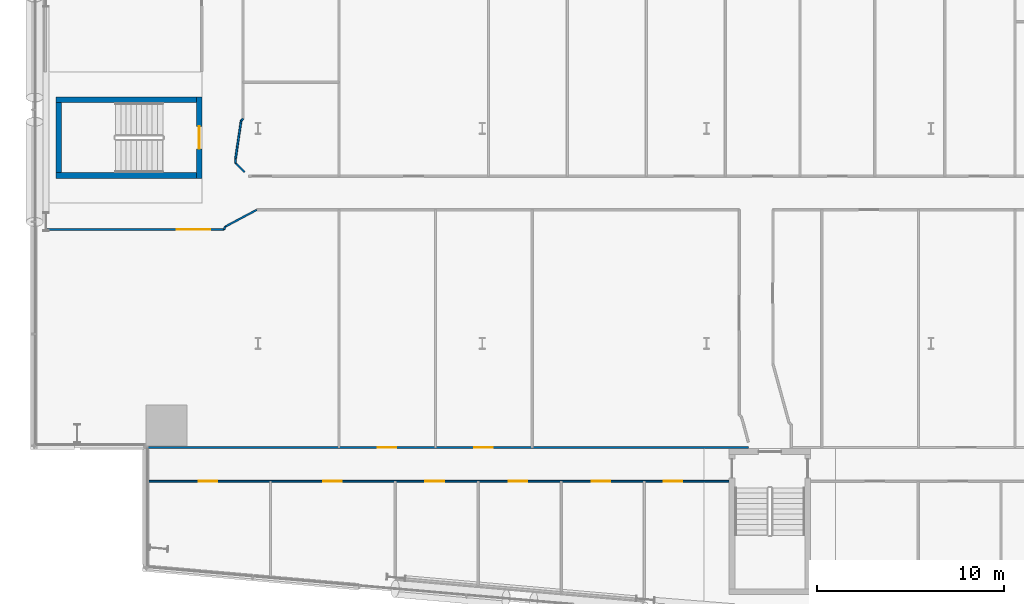
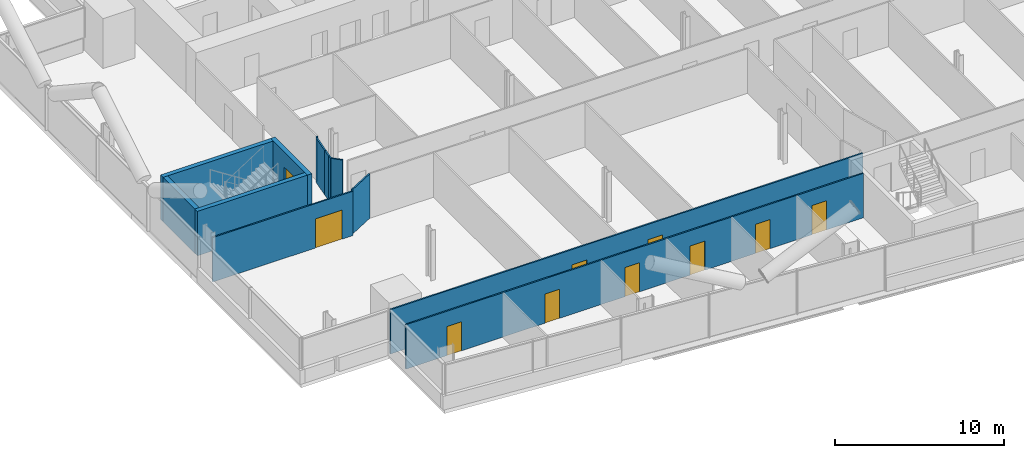
# One storey, part 13 of 27: 14 walls, 10 doors, 10 openings.
"""IFC4 building model written with IfcOpenShell, lengths in metres."""

from ifc_helpers import new_model, si_unit, direction, frame, frame_2d, origin, place, context, subcontext, project, spatial, rectangle, extrude, material, layer, layer_set, type_object, element, fill, save


model = new_model("IFC4")

# Units and contexts
model_context = context("Model", 3, precision=1e-05, world=origin(), true_north=direction((0.0, 1.0)))
body_context = subcontext(model_context, "Body", "Model", "MODEL_VIEW")
ifc_project = project(units=[si_unit("LENGTHUNIT", "METRE"), si_unit("AREAUNIT", "SQUARE_METRE"), si_unit("VOLUMEUNIT", "CUBIC_METRE"), si_unit("PLANEANGLEUNIT", "RADIAN"), si_unit("MASSUNIT", "GRAM", prefix="KILO")], contexts=[model_context])

# Site, building, storey
site_placement = place(None, origin())
site = spatial("IfcSite", under=ifc_project, at=site_placement, CompositionType="ELEMENT")
building_placement = place(site_placement, origin())
building = spatial("IfcBuilding", under=site, at=building_placement, Name="Wharfspan Tower", CompositionType="ELEMENT")
storey_placement = place(building_placement, frame((0.0, 0.0, 55.899902)))
storey = spatial("IfcBuildingStorey", under=building, at=storey_placement, Name="L10", CompositionType="ELEMENT", Elevation=55.899902)

# Wall, opening, door
ifc_material_1 = material(Name="Gypsum board on steel studs", Category="steel")
ifc_layer_1 = layer(ifc_material_1, 0.100098)
ifc_layer_set_1 = layer_set([ifc_layer_1], Name="Gypsum board on steel studs")
wall_type_1 = type_object("IfcWallType", Name="Compartment wall 100 EI 60", PredefinedType="PARTITIONING", material=ifc_layer_set_1)
wall_1_placement = place(storey_placement, frame((0.629883, 17.590088, 0.0), z_axis=(0.0, 0.0, 1.0), x_axis=(1.0, 0.0, 0.0)))
wall_1 = element("IfcWall", 1, at=wall_1_placement, inside=storey, type_object=wall_type_1, Name="Partition L10.w001", PredefinedType="PARTITIONING", context=body_context, shape_type="SweptSolid", body=[
    extrude(rectangle(XDim=9.550049, YDim=0.100098, at=frame_2d((4.774902, 0.0))), origin(), (0.0, 0.0, 1.0), 3.200195),
])
opening_1_placement = place(wall_1_placement, frame((7.024902, 0.0, 0.0)))
opening_1 = element("IfcOpeningElement", 2, at=opening_1_placement, cuts=wall_1, Name="Opening A2-21", PredefinedType="OPENING", context=body_context, shape_type="SweptSolid", body=[
    extrude(rectangle(XDim=1.800049, YDim=2.100098, at=frame_2d((0.899902, 1.050049))), frame((0.0, 0.060059, 0.0), z_axis=(0.0, -1.0, 0.0), x_axis=(1.0, 0.0, 0.0)), (0.0, 0.0, 1.0), 0.120117),
])
ifc_material_2 = material(Name="Fire-rated timber door leaf in steel frame", Category="steel")
door_type_1 = type_object("IfcDoorType", Name="Door 1800 FD30S Double", OperationType="DOUBLE_DOOR_SINGLE_SWING", PredefinedType="DOOR", material=ifc_material_2)
door_1_placement = place(opening_1_placement, origin())
door_1 = element("IfcDoor", 3, at=door_1_placement, inside=storey, type_object=door_type_1, Name="Door A2-21", OperationType="DOUBLE_DOOR_SINGLE_SWING", OverallHeight=2.100098, OverallWidth=1.800049, PredefinedType="DOOR", context=body_context, shape_type="SweptSolid", body=[
    extrude(rectangle(XDim=1.800049, YDim=2.100098, at=frame_2d((0.899902, 1.050049))), frame((0.0, 0.024902, 0.0), z_axis=(0.0, -1.0, 0.0), x_axis=(1.0, 0.0, 0.0)), (0.0, 0.0, 1.0), 0.050049),
])
fill(opening_1, door_1)

# Wall, openings, doors
wall_2_placement = place(storey_placement, frame((6.02002, 4.120117, 0.0), z_axis=(0.0, 0.0, 1.0), x_axis=(1.0, 0.0, 0.0)))
wall_2 = element("IfcWall", 4, at=wall_2_placement, inside=storey, type_object=wall_type_1, Name="Partition L10.w004", PredefinedType="PARTITIONING", context=body_context, shape_type="SweptSolid", body=[
    extrude(rectangle(XDim=31.188232, YDim=0.100098, at=frame_2d((15.594238, 0.0))), origin(), (0.0, 0.0, 1.0), 3.200195),
])
opening_2_placement = place(wall_2_placement, frame((2.804932, 0.0, 0.0)))
opening_2 = element("IfcOpeningElement", 5, at=opening_2_placement, cuts=wall_2, Name="Opening A2-01", PredefinedType="OPENING", context=body_context, shape_type="SweptSolid", body=[
    extrude(rectangle(XDim=1.0, YDim=2.100098, at=frame_2d((0.5, 1.050049))), frame((0.0, 0.060059, 0.0), z_axis=(0.0, -1.0, 0.0), x_axis=(1.0, 0.0, 0.0)), (0.0, 0.0, 1.0), 0.120117),
])
opening_3_placement = place(wall_2_placement, frame((9.475098, 0.0, 0.0)))
opening_3 = element("IfcOpeningElement", 6, at=opening_3_placement, cuts=wall_2, Name="Opening A2-02", PredefinedType="OPENING", context=body_context, shape_type="SweptSolid", body=[
    extrude(rectangle(XDim=1.0, YDim=2.100098, at=frame_2d((0.5, 1.050049))), frame((0.0, 0.060059, 0.0), z_axis=(0.0, -1.0, 0.0), x_axis=(1.0, 0.0, 0.0)), (0.0, 0.0, 1.0), 0.120117),
])
opening_4_placement = place(wall_2_placement, frame((14.939941, 0.0, 0.0)))
opening_4 = element("IfcOpeningElement", 7, at=opening_4_placement, cuts=wall_2, Name="Opening A2-03", PredefinedType="OPENING", context=body_context, shape_type="SweptSolid", body=[
    extrude(rectangle(XDim=1.0, YDim=2.100098, at=frame_2d((0.5, 1.050049))), frame((0.0, 0.060059, 0.0), z_axis=(0.0, -1.0, 0.0), x_axis=(1.0, 0.0, 0.0)), (0.0, 0.0, 1.0), 0.120117),
])
opening_5_placement = place(wall_2_placement, frame((19.38501, 0.0, 0.0)))
opening_5 = element("IfcOpeningElement", 8, at=opening_5_placement, cuts=wall_2, Name="Opening A2-04", PredefinedType="OPENING", context=body_context, shape_type="SweptSolid", body=[
    extrude(rectangle(XDim=1.0, YDim=2.100098, at=frame_2d((0.5, 1.050049))), frame((0.0, 0.060059, 0.0), z_axis=(0.0, -1.0, 0.0), x_axis=(1.0, 0.0, 0.0)), (0.0, 0.0, 1.0), 0.120117),
])
opening_6_placement = place(wall_2_placement, frame((23.830078, 0.0, 0.0)))
opening_6 = element("IfcOpeningElement", 9, at=opening_6_placement, cuts=wall_2, Name="Opening A2-05", PredefinedType="OPENING", context=body_context, shape_type="SweptSolid", body=[
    extrude(rectangle(XDim=1.0, YDim=2.100098, at=frame_2d((0.5, 1.050049))), frame((0.0, 0.060059, 0.0), z_axis=(0.0, -1.0, 0.0), x_axis=(1.0, 0.0, 0.0)), (0.0, 0.0, 1.0), 0.120117),
])
opening_7_placement = place(wall_2_placement, frame((27.675049, 0.0, 0.0)))
opening_7 = element("IfcOpeningElement", 10, at=opening_7_placement, cuts=wall_2, Name="Opening A2-06", PredefinedType="OPENING", context=body_context, shape_type="SweptSolid", body=[
    extrude(rectangle(XDim=1.0, YDim=2.100098, at=frame_2d((0.5, 1.050049))), frame((0.0, 0.060059, 0.0), z_axis=(0.0, -1.0, 0.0), x_axis=(1.0, 0.0, 0.0)), (0.0, 0.0, 1.0), 0.120117),
])
door_type_2 = type_object("IfcDoorType", Name="Door 1000 FD30S Left", OperationType="SINGLE_SWING_LEFT", PredefinedType="DOOR", material=ifc_material_2)
door_2_placement = place(opening_2_placement, origin())
door_2 = element("IfcDoor", 11, at=door_2_placement, inside=storey, type_object=door_type_2, Name="Door A2-01", OperationType="SINGLE_SWING_LEFT", OverallHeight=2.100098, OverallWidth=1.0, PredefinedType="DOOR", context=body_context, shape_type="SweptSolid", body=[
    extrude(rectangle(XDim=1.0, YDim=2.100098, at=frame_2d((0.5, 1.050049))), frame((0.0, 0.024902, 0.0), z_axis=(0.0, -1.0, 0.0), x_axis=(1.0, 0.0, 0.0)), (0.0, 0.0, 1.0), 0.050049),
])
fill(opening_2, door_2)
door_3_placement = place(opening_3_placement, origin())
door_3 = element("IfcDoor", 12, at=door_3_placement, inside=storey, type_object=door_type_2, Name="Door A2-02", OperationType="SINGLE_SWING_LEFT", OverallHeight=2.100098, OverallWidth=1.0, PredefinedType="DOOR", context=body_context, shape_type="SweptSolid", body=[
    extrude(rectangle(XDim=1.0, YDim=2.100098, at=frame_2d((0.5, 1.050049))), frame((0.0, 0.024902, 0.0), z_axis=(0.0, -1.0, 0.0), x_axis=(1.0, 0.0, 0.0)), (0.0, 0.0, 1.0), 0.050049),
])
fill(opening_3, door_3)
door_4_placement = place(opening_4_placement, origin())
door_4 = element("IfcDoor", 13, at=door_4_placement, inside=storey, type_object=door_type_2, Name="Door A2-03", OperationType="SINGLE_SWING_LEFT", OverallHeight=2.100098, OverallWidth=1.0, PredefinedType="DOOR", context=body_context, shape_type="SweptSolid", body=[
    extrude(rectangle(XDim=1.0, YDim=2.100098, at=frame_2d((0.5, 1.050049))), frame((0.0, 0.024902, 0.0), z_axis=(0.0, -1.0, 0.0), x_axis=(1.0, 0.0, 0.0)), (0.0, 0.0, 1.0), 0.050049),
])
fill(opening_4, door_4)
door_type_3 = type_object("IfcDoorType", Name="Door 1000 FD30S Right", OperationType="SINGLE_SWING_RIGHT", PredefinedType="DOOR", material=ifc_material_2)
door_5_placement = place(opening_5_placement, origin())
door_5 = element("IfcDoor", 14, at=door_5_placement, inside=storey, type_object=door_type_3, Name="Door A2-04", OperationType="SINGLE_SWING_RIGHT", OverallHeight=2.100098, OverallWidth=1.0, PredefinedType="DOOR", context=body_context, shape_type="SweptSolid", body=[
    extrude(rectangle(XDim=1.0, YDim=2.100098, at=frame_2d((0.5, 1.050049))), frame((0.0, 0.024902, 0.0), z_axis=(0.0, -1.0, 0.0), x_axis=(1.0, 0.0, 0.0)), (0.0, 0.0, 1.0), 0.050049),
])
fill(opening_5, door_5)
door_6_placement = place(opening_6_placement, origin())
door_6 = element("IfcDoor", 15, at=door_6_placement, inside=storey, type_object=door_type_3, Name="Door A2-05", OperationType="SINGLE_SWING_RIGHT", OverallHeight=2.100098, OverallWidth=1.0, PredefinedType="DOOR", context=body_context, shape_type="SweptSolid", body=[
    extrude(rectangle(XDim=1.0, YDim=2.100098, at=frame_2d((0.5, 1.050049))), frame((0.0, 0.024902, 0.0), z_axis=(0.0, -1.0, 0.0), x_axis=(1.0, 0.0, 0.0)), (0.0, 0.0, 1.0), 0.050049),
])
fill(opening_6, door_6)
door_7_placement = place(opening_7_placement, origin())
door_7 = element("IfcDoor", 16, at=door_7_placement, inside=storey, type_object=door_type_3, Name="Door A2-06", OperationType="SINGLE_SWING_RIGHT", OverallHeight=2.100098, OverallWidth=1.0, PredefinedType="DOOR", context=body_context, shape_type="SweptSolid", body=[
    extrude(rectangle(XDim=1.0, YDim=2.100098, at=frame_2d((0.5, 1.050049))), frame((0.0, 0.024902, 0.0), z_axis=(0.0, -1.0, 0.0), x_axis=(1.0, 0.0, 0.0)), (0.0, 0.0, 1.0), 0.050049),
])
fill(opening_7, door_7)

wall_3_placement = place(storey_placement, frame((6.02002, 5.925049, 0.0), z_axis=(0.0, 0.0, 1.0), x_axis=(1.0, 0.0, 0.0)))
wall_3 = element("IfcWall", 17, at=wall_3_placement, inside=storey, type_object=wall_type_1, Name="Partition L10.w005", PredefinedType="PARTITIONING", context=body_context, shape_type="SweptSolid", body=[
    extrude(rectangle(XDim=32.209961, YDim=0.100098, at=frame_2d((16.10498, 0.0))), origin(), (0.0, 0.0, 1.0), 3.200195),
])
opening_8_placement = place(wall_3_placement, frame((12.379883, 0.0, 0.0)))
opening_8 = element("IfcOpeningElement", 18, at=opening_8_placement, cuts=wall_3, Name="Opening A2-13", PredefinedType="OPENING", context=body_context, shape_type="SweptSolid", body=[
    extrude(rectangle(XDim=1.0, YDim=2.100098, at=frame_2d((0.5, 1.050049))), frame((0.0, 0.060059, 0.0), z_axis=(0.0, -1.0, 0.0), x_axis=(1.0, 0.0, 0.0)), (0.0, 0.0, 1.0), 0.120117),
])
opening_9_placement = place(wall_3_placement, frame((17.544922, 0.0, 0.0)))
opening_9 = element("IfcOpeningElement", 19, at=opening_9_placement, cuts=wall_3, Name="Opening A2-14", PredefinedType="OPENING", context=body_context, shape_type="SweptSolid", body=[
    extrude(rectangle(XDim=1.0, YDim=2.100098, at=frame_2d((0.5, 1.050049))), frame((0.0, 0.060059, 0.0), z_axis=(0.0, -1.0, 0.0), x_axis=(1.0, 0.0, 0.0)), (0.0, 0.0, 1.0), 0.120117),
])
door_8_placement = place(opening_8_placement, origin())
door_8 = element("IfcDoor", 20, at=door_8_placement, inside=storey, type_object=door_type_2, Name="Door A2-13", OperationType="SINGLE_SWING_LEFT", OverallHeight=2.100098, OverallWidth=1.0, PredefinedType="DOOR", context=body_context, shape_type="SweptSolid", body=[
    extrude(rectangle(XDim=1.0, YDim=2.100098, at=frame_2d((0.5, 1.050049))), frame((0.0, 0.024902, 0.0), z_axis=(0.0, -1.0, 0.0), x_axis=(1.0, 0.0, 0.0)), (0.0, 0.0, 1.0), 0.050049),
])
fill(opening_8, door_8)
door_9_placement = place(opening_9_placement, origin())
door_9 = element("IfcDoor", 21, at=door_9_placement, inside=storey, type_object=door_type_3, Name="Door A2-14", OperationType="SINGLE_SWING_RIGHT", OverallHeight=2.100098, OverallWidth=1.0, PredefinedType="DOOR", context=body_context, shape_type="SweptSolid", body=[
    extrude(rectangle(XDim=1.0, YDim=2.100098, at=frame_2d((0.5, 1.050049))), frame((0.0, 0.024902, 0.0), z_axis=(0.0, -1.0, 0.0), x_axis=(1.0, 0.0, 0.0)), (0.0, 0.0, 1.0), 0.050049),
])
fill(opening_9, door_9)

# Walls
wall_4_placement = place(storey_placement, frame((10.179932, 17.590088, 0.0), z_axis=(0.0, 0.0, 1.0), x_axis=(0.435266, 0.900306, 0.0)))
element("IfcWall", 22, at=wall_4_placement, inside=storey, type_object=wall_type_1, Name="Partition L10.w007", PredefinedType="PARTITIONING", context=body_context, shape_type="SweptSolid", body=[
    extrude(rectangle(XDim=0.172119, YDim=0.100098, at=frame_2d((0.085938, 0.0))), origin(), (0.0, 0.0, 1.0), 3.200195),
])
wall_5_placement = place(storey_placement, frame((10.254883, 17.745117, 0.0), z_axis=(0.0, 0.0, 1.0), x_axis=(0.882644, 0.470051, 0.0)))
element("IfcWall", 23, at=wall_5_placement, inside=storey, type_object=wall_type_1, Name="Partition L10.w008", PredefinedType="PARTITIONING", context=body_context, shape_type="SweptSolid", body=[
    extrude(rectangle(XDim=1.903564, YDim=0.100098, at=frame_2d((0.95166, 0.0))), origin(), (0.0, 0.0, 1.0), 3.200195),
])
wall_6_placement = place(storey_placement, frame((10.800049, 21.14502, 0.0), z_axis=(0.0, 0.0, 1.0), x_axis=(0.0, 1.0, 0.0)))
element("IfcWall", 24, at=wall_6_placement, inside=storey, type_object=wall_type_1, Name="Partition L10.w009", PredefinedType="PARTITIONING", context=body_context, shape_type="SweptSolid", body=[
    extrude(rectangle(XDim=0.225098, YDim=0.100098, at=frame_2d((0.112549, 0.0))), origin(), (0.0, 0.0, 1.0), 3.200195),
])
wall_7_placement = place(storey_placement, frame((10.800049, 21.370117, 0.0), z_axis=(0.0, 0.0, 1.0), x_axis=(0.142287, 0.989823, 0.0)))
element("IfcWall", 25, at=wall_7_placement, inside=storey, type_object=wall_type_1, Name="Partition L10.w010", PredefinedType="PARTITIONING", context=body_context, shape_type="SweptSolid", body=[
    extrude(rectangle(XDim=0.631348, YDim=0.100098, at=frame_2d((0.315674, 0.0))), origin(), (0.0, 0.0, 1.0), 3.200195),
])
wall_8_placement = place(storey_placement, frame((10.889893, 21.995117, 0.0), z_axis=(0.0, 0.0, 1.0), x_axis=(0.147988, 0.988993, 0.0)))
element("IfcWall", 26, at=wall_8_placement, inside=storey, type_object=wall_type_1, Name="Partition L10.w011", PredefinedType="PARTITIONING", context=body_context, shape_type="SweptSolid", body=[
    extrude(rectangle(XDim=1.42041, YDim=0.100098, at=frame_2d((0.710205, 0.0))), origin(), (0.0, 0.0, 1.0), 3.200195),
])
wall_9_placement = place(storey_placement, frame((11.100098, 23.399902, 0.0), z_axis=(0.0, 0.0, 1.0), x_axis=(0.65566, 0.755051, 0.0)))
element("IfcWall", 27, at=wall_9_placement, inside=storey, type_object=wall_type_1, Name="Partition L10.w012", PredefinedType="PARTITIONING", context=body_context, shape_type="SweptSolid", body=[
    extrude(rectangle(XDim=0.152344, YDim=0.100098, at=frame_2d((0.076172, 0.0))), origin(), (0.0, 0.0, 1.0), 3.200195),
])
wall_10_placement = place(storey_placement, frame((11.294922, 20.655029, 0.0), z_axis=(0.0, 0.0, 1.0), x_axis=(-0.7106, 0.703589, 0.0)))
element("IfcWall", 28, at=wall_10_placement, inside=storey, type_object=wall_type_1, Name="Partition L10.w016", PredefinedType="PARTITIONING", context=body_context, shape_type="SweptSolid", body=[
    extrude(rectangle(XDim=0.696533, YDim=0.100098, at=frame_2d((0.348145, 0.0))), origin(), (0.0, 0.0, 1.0), 3.200195),
])

# Wall, opening, door
ifc_material_3 = material(Name="Concrete C40/50", Category="concrete")
ifc_layer_2 = layer(ifc_material_3, 0.300049)
ifc_layer_set_2 = layer_set([ifc_layer_2], Name="Concrete C40/50")
wall_type_2 = type_object("IfcWallType", Name="Stair core wall 300", PredefinedType="SHEAR", material=ifc_layer_set_2)
wall_11_placement = place(storey_placement, frame((8.850098, 20.324951, 0.0), z_axis=(0.0, 0.0, 1.0), x_axis=(0.0, 1.0, 0.0)))
wall_11 = element("IfcWall", 29, at=wall_11_placement, inside=storey, type_object=wall_type_2, Name="ST3 stair enclosure wall L10", PredefinedType="SHEAR", context=body_context, shape_type="SweptSolid", body=[
    extrude(rectangle(XDim=4.350098, YDim=0.300049, at=frame_2d((2.175049, 0.0))), origin(), (0.0, 0.0, 1.0), 3.200195),
])
opening_10_placement = place(wall_11_placement, frame((1.574951, 0.0, 0.0)))
opening_10 = element("IfcOpeningElement", 30, at=opening_10_placement, cuts=wall_11, Name="Opening SD3.L10", PredefinedType="OPENING", context=body_context, shape_type="SweptSolid", body=[
    extrude(rectangle(XDim=1.199951, YDim=2.100098, at=frame_2d((0.600098, 1.050049))), frame((0.0, 0.159912, 0.0), z_axis=(0.0, -1.0, 0.0), x_axis=(1.0, 0.0, 0.0)), (0.0, 0.0, 1.0), 0.320068),
])
ifc_material_4 = material(Name="Steel door leaf", Category="steel")
door_type_4 = type_object("IfcDoorType", Name="Stair door 1200x2100", OperationType="SINGLE_SWING_LEFT", PredefinedType="DOOR", material=ifc_material_4)
door_10_placement = place(opening_10_placement, origin())
door_10 = element("IfcDoor", 31, at=door_10_placement, inside=storey, type_object=door_type_4, Name="sd:L10:ST3z1", OperationType="SINGLE_SWING_RIGHT", OverallHeight=2.100098, OverallWidth=1.199951, PredefinedType="DOOR", context=body_context, shape_type="SweptSolid", body=[
    extrude(rectangle(XDim=1.199951, YDim=2.100098, at=frame_2d((0.600098, 1.050049))), frame((0.0, 0.024902, 0.0), z_axis=(0.0, -1.0, 0.0), x_axis=(1.0, 0.0, 0.0)), (0.0, 0.0, 1.0), 0.050049),
])
fill(opening_10, door_10)

# Walls
for number, where, z_axis, x_axis, name in (
    (32, (1.199951, 20.475098, 0.0), (0.0, 0.0, 1.0), (1.0, 0.0, 0.0), "ST3 stair enclosure wall L10"),
    (33, (1.199951, 24.524902, 0.0), (0.0, 0.0, 1.0), (1.0, 0.0, 0.0), "ST3 stair enclosure wall L10"),
):
    element("IfcWall", number, at=place(storey_placement, frame(where, z_axis=z_axis, x_axis=x_axis)), inside=storey, type_object=wall_type_2, Name=name, PredefinedType="SHEAR", context=body_context, shape_type="SweptSolid", body=[
        extrude(rectangle(XDim=7.5, YDim=0.300049, at=frame_2d((3.75, 0.0))), origin(), (0.0, 0.0, 1.0), 3.200195),
    ])
wall_12_placement = place(storey_placement, frame((1.350098, 20.625, 0.0), z_axis=(0.0, 0.0, 1.0), x_axis=(0.0, 1.0, 0.0)))
element("IfcWall", 34, at=wall_12_placement, inside=storey, type_object=wall_type_2, Name="ST3 stair enclosure wall L10", PredefinedType="SHEAR", context=body_context, shape_type="SweptSolid", body=[
    extrude(rectangle(XDim=3.75, YDim=0.300049, at=frame_2d((1.875, 0.0))), origin(), (0.0, 0.0, 1.0), 3.200195),
])

save(model, "model.ifc")
